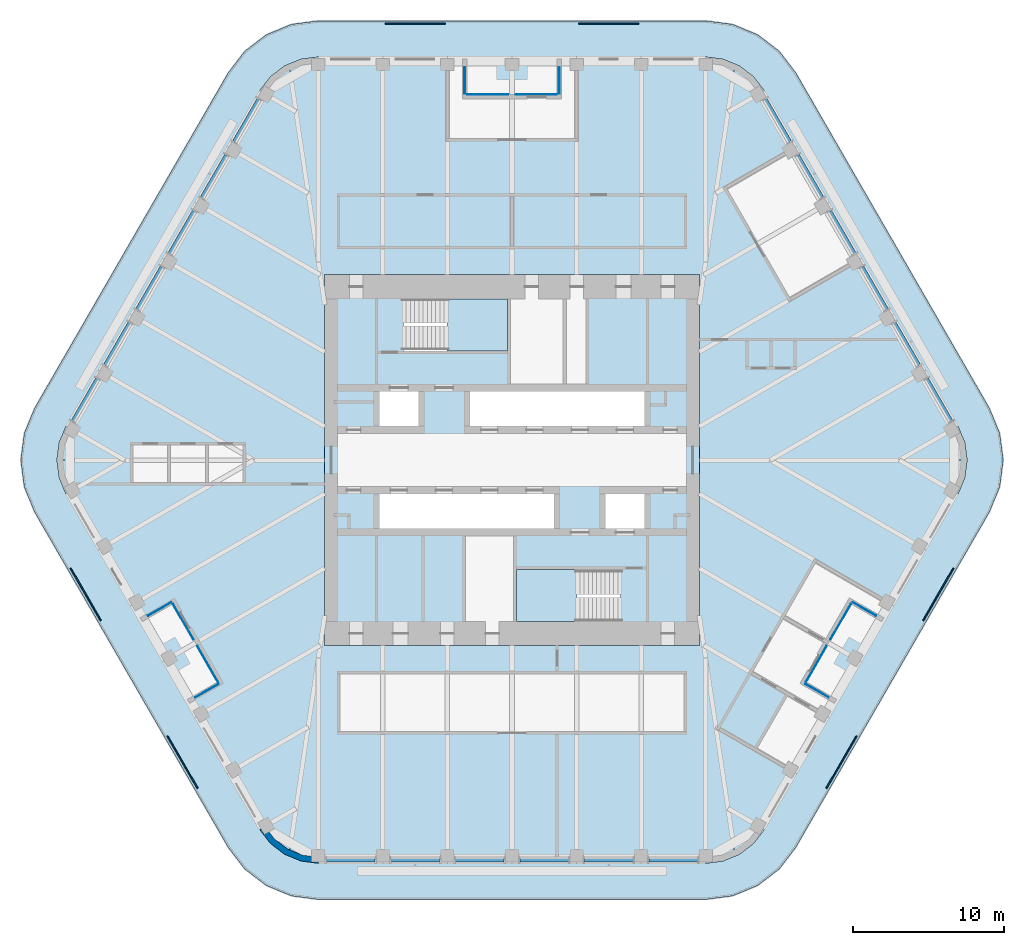
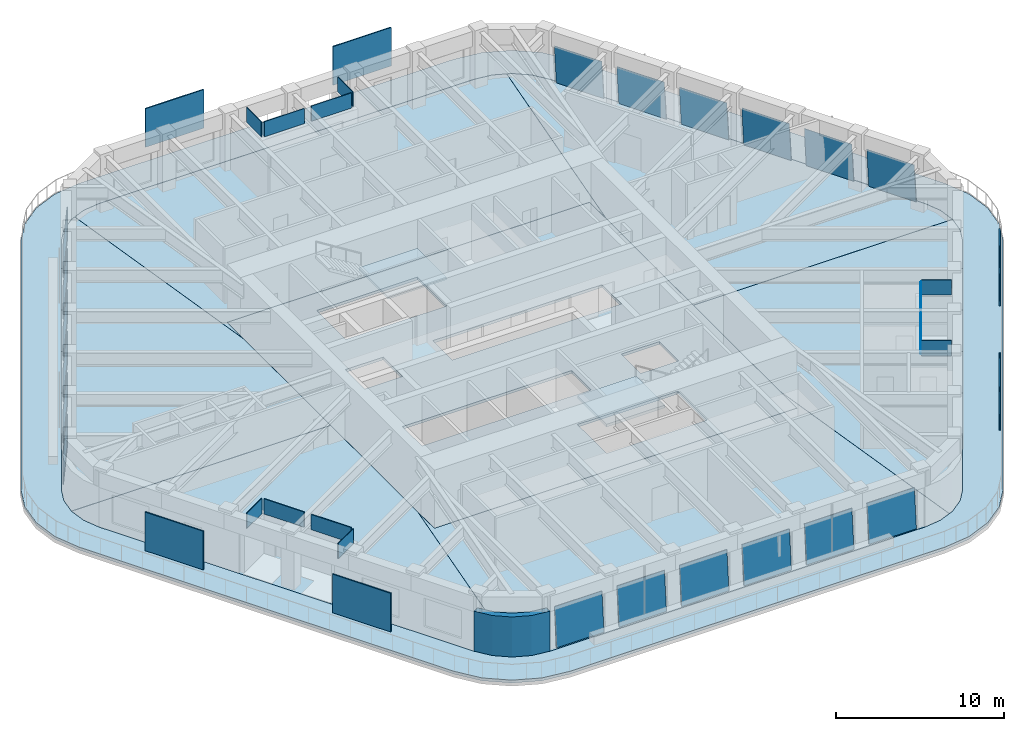
# One storey, part 12 of 19: 36 plates, 10 slabs, 1 wall, 20 elements without a shape of their own.
"""IFC4 building model written with IfcOpenShell, lengths in metres."""

from ifc_helpers import new_model, si_unit, direction, frame, origin, origin_2d, place, context, subcontext, project, spatial, polyline, rectangle, outline, extrude, material, layer, layer_set, type_object, element, aggregate, save


model = new_model("IFC4")

# Units and contexts
model_context = context("Model", 3, precision=1e-05, world=origin(), true_north=direction((0.0, 1.0)))
body_context = subcontext(model_context, "Body", "Model", "MODEL_VIEW")
ifc_project = project(units=[si_unit("LENGTHUNIT", "METRE"), si_unit("AREAUNIT", "SQUARE_METRE"), si_unit("VOLUMEUNIT", "CUBIC_METRE"), si_unit("PLANEANGLEUNIT", "RADIAN"), si_unit("MASSUNIT", "GRAM", prefix="KILO")], contexts=[model_context])

# Site, building, storey
site_placement = place(None, origin())
site = spatial("IfcSite", under=ifc_project, at=site_placement, CompositionType="ELEMENT")
building_placement = place(site_placement, origin())
building = spatial("IfcBuilding", under=site, at=building_placement, Name="Tarfa Lantern Tower", CompositionType="ELEMENT")
storey_placement = place(building_placement, frame((0.0, 0.0, 357.699951171875)))
storey = spatial("IfcBuildingStorey", under=building, at=storey_placement, Name="L81", CompositionType="ELEMENT", Elevation=357.699951171875)

# Slab
ifc_material_1 = material(Name="Concrete C40/50", Category="concrete")
ifc_layer_1 = layer(ifc_material_1, 0.199951171875)
ifc_layer_set_1 = layer_set([ifc_layer_1], Name="BS2 BALCONY SLAB 200")
slab_type_1 = type_object("IfcSlabType", Name="BS2 BALCONY SLAB 200", PredefinedType="FLOOR", material=ifc_layer_set_1)
slab_1_placement = place(storey_placement, frame((0.0, 0.0, -0.199951171875)))
element("IfcSlab", 1, at=slab_1_placement, inside=storey, type_object=slab_type_1, Name="Balcony L81", PredefinedType="FLOOR", context=body_context, shape_type="SweptSolid", body=[
    extrude(outline(polyline([(31.667724609375, 3.449951171875), (18.821533203125, 25.699951171875), (17.72509765625, 27.129150390625), (16.296142578125, 28.2255859375), (14.6318359375, 28.914794921875), (12.845947265625, 29.14990234375), (-12.845947265625, 29.14990234375), (-14.6318359375, 28.914794921875), (-16.296142578125, 28.2255859375), (-17.72509765625, 27.129150390625), (-18.821533203125, 25.699951171875), (-31.667724609375, 3.449951171875), (-32.35693359375, 1.785888671875), (-32.592041015625, 0.0), (-32.35693359375, -1.785888671875), (-31.667724609375, -3.449951171875), (-18.821533203125, -25.699951171875), (-17.72509765625, -27.129150390625), (-16.296142578125, -28.2255859375), (-14.6318359375, -28.914794921875), (-12.845947265625, -29.14990234375), (12.845947265625, -29.14990234375), (14.6318359375, -28.914794921875), (16.296142578125, -28.2255859375), (17.72509765625, -27.129150390625), (18.821533203125, -25.699951171875), (31.667724609375, -3.449951171875), (32.35693359375, -1.785888671875), (32.592041015625, 0.0), (32.35693359375, 1.785888671875), (31.667724609375, 3.449951171875)]), holes=[polyline([(29.589111328125, 2.25), (16.7431640625, 24.5), (16.028076171875, 25.431884765625), (15.095947265625, 26.147216796875), (14.0107421875, 26.5966796875), (12.845947265625, 26.75), (-12.845947265625, 26.75), (-14.0107421875, 26.5966796875), (-15.095947265625, 26.147216796875), (-16.028076171875, 25.431884765625), (-16.7431640625, 24.5), (-29.589111328125, 2.25), (-30.038818359375, 1.164794921875), (-30.192138671875, 0.0), (-30.038818359375, -1.164794921875), (-29.589111328125, -2.25), (-16.7431640625, -24.5), (-16.028076171875, -25.431884765625), (-15.095947265625, -26.147216796875), (-14.0107421875, -26.5966796875), (-12.845947265625, -26.75), (12.845947265625, -26.75), (14.0107421875, -26.5966796875), (15.095947265625, -26.147216796875), (16.028076171875, -25.431884765625), (16.7431640625, -24.5), (29.589111328125, -2.25), (30.038818359375, -1.164794921875), (30.192138671875, 0.0), (30.038818359375, 1.164794921875), (29.589111328125, 2.25)])]), origin(), (0.0, 0.0, 1.0), 0.199951171875),
])

# Curtain wall, plate
ifc_material_2 = material(Name="Aluminium framed curtain wall", Category="aluminium")
curtain_wall_type = type_object("IfcCurtainWallType", Name="CW4 CANTED GLAZING EXECUTIVE ZONE 2900", PredefinedType="USERDEFINED", material=ifc_material_2)
curtain_wall_1_placement = place(storey_placement, origin())
curtain_wall_1 = element("IfcCurtainWall", 2, at=curtain_wall_1_placement, inside=storey, type_object=curtain_wall_type, Name="CW4 NE L81", ObjectType="CURTAIN WALL", PredefinedType="USERDEFINED")
ifc_material_3 = material(Name="Laminated double glazing", Category="glass")
ifc_layer_2 = layer(ifc_material_3, 0.028076171875)
ifc_layer_set_2 = layer_set([ifc_layer_2], Name="CWP1 DOUBLE GLAZED PANEL")
plate_type_1 = type_object("IfcPlateType", Name="CWP1 DOUBLE GLAZED PANEL", PredefinedType="CURTAIN_PANEL", material=ifc_layer_set_2)
plate_1_placement = place(storey_placement, frame((29.2451171875, 2.64599609375, 0.0), z_axis=(0.862825639539, 0.498150817852, 0.085893413177), x_axis=(-0.499998527034, 0.866026254198, -1.606095e-06)))
plate_1 = element("IfcPlate", 3, at=plate_1_placement, type_object=plate_type_1, Name="CW4 panel 1.1", PredefinedType="CURTAIN_PANEL", context=body_context, shape_type="SweptSolid", body=[
    extrude(outline(polyline([(0.0, 0.0), (3.2520676412308207, 1.3877787807814457e-17), (3.251970209495446, 2.8454821182411227), (0.00011400045559208601, 2.845471633574548), (0.0, 0.0)])), origin(), (0.0, 0.0, -1.0), 0.028076171875),
])
aggregate(curtain_wall_1, [plate_1])

curtain_wall_2_placement = place(storey_placement, origin())
curtain_wall_2 = element("IfcCurtainWall", 4, at=curtain_wall_2_placement, inside=storey, type_object=curtain_wall_type, Name="CW4 NE L81", ObjectType="CURTAIN WALL", PredefinedType="USERDEFINED")
plate_2_placement = place(storey_placement, frame((27.10400390625, 6.354248046875, 0.0), z_axis=(0.862836578146, 0.498135541821, 0.085872122301), x_axis=(-0.499982393232, 0.866035568818, 0.0)))
plate_2 = element("IfcPlate", 5, at=plate_2_placement, type_object=plate_type_1, Name="CW4 panel 1.1", PredefinedType="CURTAIN_PANEL", context=body_context, shape_type="SweptSolid", body=[
    extrude(outline(polyline([(0.0, 0.0), (3.252067641799349, -1.3877787807814457e-17), (3.2521816433919786, 2.8454716342242685), (0.00011400159262917042, 2.8454716342242685), (0.0, 0.0)])), origin(), (0.0, 0.0, -1.0), 0.028076171875),
])
aggregate(curtain_wall_2, [plate_2])

curtain_wall_3_placement = place(storey_placement, origin())
curtain_wall_3 = element("IfcCurtainWall", 6, at=curtain_wall_3_placement, inside=storey, type_object=curtain_wall_type, Name="CW4 NE L81", ObjectType="CURTAIN WALL", PredefinedType="USERDEFINED")
plate_3_placement = place(storey_placement, frame((24.963134765625, 10.062744140625, 0.0), z_axis=(0.862825639539, 0.498150817852, 0.085893413177), x_axis=(-0.49999876687, 0.86602611573, 1.606199e-06)))
plate_3 = element("IfcPlate", 7, at=plate_3_placement, type_object=plate_type_1, Name="CW4 panel 1.1", PredefinedType="CURTAIN_PANEL", context=body_context, shape_type="SweptSolid", body=[
    extrude(outline(polyline([(0.0, 0.0), (3.2518562090567564, 1.3877787807814457e-17), (3.251979383909802, 2.8454716331921968), (-8.825730411465393e-05, 2.845482118540473), (0.0, 0.0)])), origin(), (0.0, 0.0, -1.0), 0.028076171875),
])
aggregate(curtain_wall_3, [plate_3])

curtain_wall_4_placement = place(storey_placement, origin())
curtain_wall_4 = element("IfcCurtainWall", 8, at=curtain_wall_4_placement, inside=storey, type_object=curtain_wall_type, Name="CW4 NE L81", ObjectType="CURTAIN WALL", PredefinedType="USERDEFINED")
plate_4_placement = place(storey_placement, frame((22.822021484375, 13.77099609375, 0.0), z_axis=(0.862825639539, 0.498150817852, 0.085893413177), x_axis=(-0.499998527034, 0.866026254198, -1.606095e-06)))
plate_4 = element("IfcPlate", 9, at=plate_4_placement, type_object=plate_type_1, Name="CW4 panel 1.1", PredefinedType="CURTAIN_PANEL", context=body_context, shape_type="SweptSolid", body=[
    extrude(outline(polyline([(0.0, 0.0), (3.2520676412308207, 1.3877787807814457e-17), (3.251970209495446, 2.8454821182411227), (0.00011400045559208601, 2.845471633574548), (0.0, 0.0)])), origin(), (0.0, 0.0, -1.0), 0.028076171875),
])
aggregate(curtain_wall_4, [plate_4])

curtain_wall_5_placement = place(storey_placement, origin())
curtain_wall_5 = element("IfcCurtainWall", 10, at=curtain_wall_5_placement, inside=storey, type_object=curtain_wall_type, Name="CW4 NE L81", ObjectType="CURTAIN WALL", PredefinedType="USERDEFINED")
plate_5_placement = place(storey_placement, frame((20.68115234375, 17.479248046875, 0.0), z_axis=(0.862836578146, 0.498135541821, 0.085872122301), x_axis=(-0.499982393232, 0.866035568818, 0.0)))
plate_5 = element("IfcPlate", 11, at=plate_5_placement, type_object=plate_type_1, Name="CW4 panel 1.1", PredefinedType="CURTAIN_PANEL", context=body_context, shape_type="SweptSolid", body=[
    extrude(outline(polyline([(0.0, 0.0), (3.252067641799349, -1.3877787807814457e-17), (3.2521816433919786, 2.8454716342242685), (0.00011400159262917042, 2.8454716342242685), (0.0, 0.0)])), origin(), (0.0, 0.0, -1.0), 0.028076171875),
])
aggregate(curtain_wall_5, [plate_5])

curtain_wall_6_placement = place(storey_placement, origin())
curtain_wall_6 = element("IfcCurtainWall", 12, at=curtain_wall_6_placement, inside=storey, type_object=curtain_wall_type, Name="CW4 NE L81", ObjectType="CURTAIN WALL", PredefinedType="USERDEFINED")
plate_6_placement = place(storey_placement, frame((18.5400390625, 21.187744140625, 0.0), z_axis=(0.862825639539, 0.498150817852, 0.085893413177), x_axis=(-0.49999876687, 0.86602611573, 1.606199e-06)))
plate_6 = element("IfcPlate", 13, at=plate_6_placement, type_object=plate_type_1, Name="CW4 panel 1.1", PredefinedType="CURTAIN_PANEL", context=body_context, shape_type="SweptSolid", body=[
    extrude(outline(polyline([(0.0, 0.0), (3.2518562090567564, 1.3877787807814457e-17), (3.251979383909802, 2.8454716331921968), (-8.825730411465393e-05, 2.845482118540473), (0.0, 0.0)])), origin(), (0.0, 0.0, -1.0), 0.028076171875),
])
aggregate(curtain_wall_6, [plate_6])

curtain_wall_7_placement = place(storey_placement, origin())
curtain_wall_7 = element("IfcCurtainWall", 14, at=curtain_wall_7_placement, inside=storey, type_object=curtain_wall_type, Name="CW4 NW L81", ObjectType="CURTAIN WALL", PredefinedType="USERDEFINED")
plate_7_placement = place(storey_placement, frame((-16.9140625, 24.00390625, 0.0), z_axis=(-0.862825639539, 0.498150817852, 0.085893413177), x_axis=(-0.49999876687, -0.86602611573, -1.606199e-06)))
plate_7 = element("IfcPlate", 15, at=plate_7_placement, type_object=plate_type_1, Name="CW4 panel 1.1", PredefinedType="CURTAIN_PANEL", context=body_context, shape_type="SweptSolid", body=[
    extrude(outline(polyline([(0.0, 0.0), (3.2518562090567564, -1.3877787807814457e-17), (3.251944466360871, 2.845482118540473), (-0.00012317485304587817, 2.8454716331921968), (0.0, 0.0)])), origin(), (0.0, 0.0, -1.0), 0.028076171875),
])
aggregate(curtain_wall_7, [plate_7])

curtain_wall_8_placement = place(storey_placement, origin())
curtain_wall_8 = element("IfcCurtainWall", 16, at=curtain_wall_8_placement, inside=storey, type_object=curtain_wall_type, Name="CW4 NW L81", ObjectType="CURTAIN WALL", PredefinedType="USERDEFINED")
plate_8_placement = place(storey_placement, frame((-19.05517578125, 20.295654296875, 0.0), z_axis=(-0.862836578146, 0.498135541821, 0.085872122301), x_axis=(-0.499982393232, -0.866035568818, 0.0)))
plate_8 = element("IfcPlate", 17, at=plate_8_placement, type_object=plate_type_1, Name="CW4 panel 1.1", PredefinedType="CURTAIN_PANEL", context=body_context, shape_type="SweptSolid", body=[
    extrude(outline(polyline([(0.0, 0.0), (3.252067641799349, 1.3877787807814457e-17), (3.25195364020672, 2.8454716342242685), (-0.00011400159262917042, 2.8454716342242685), (0.0, 0.0)])), origin(), (0.0, 0.0, -1.0), 0.028076171875),
])
aggregate(curtain_wall_8, [plate_8])

curtain_wall_9_placement = place(storey_placement, origin())
curtain_wall_9 = element("IfcCurtainWall", 18, at=curtain_wall_9_placement, inside=storey, type_object=curtain_wall_type, Name="CW4 NW L81", ObjectType="CURTAIN WALL", PredefinedType="USERDEFINED")
plate_9_placement = place(storey_placement, frame((-21.196044921875, 16.58740234375, 0.0), z_axis=(-0.862825639539, 0.498150817852, 0.085893413177), x_axis=(-0.499998527034, -0.866026254198, 1.606095e-06)))
plate_9 = element("IfcPlate", 19, at=plate_9_placement, type_object=plate_type_1, Name="CW4 panel 1.1", PredefinedType="CURTAIN_PANEL", context=body_context, shape_type="SweptSolid", body=[
    extrude(outline(polyline([(0.0, 0.0), (3.2520676412308207, -1.3877787807814457e-17), (3.2519536407752287, 2.845471633574548), (9.74317353742931e-05, 2.8454821182411227), (0.0, 0.0)])), origin(), (0.0, 0.0, -1.0), 0.028076171875),
])
aggregate(curtain_wall_9, [plate_9])

curtain_wall_10_placement = place(storey_placement, origin())
curtain_wall_10 = element("IfcCurtainWall", 20, at=curtain_wall_10_placement, inside=storey, type_object=curtain_wall_type, Name="CW4 NW L81", ObjectType="CURTAIN WALL", PredefinedType="USERDEFINED")
plate_10_placement = place(storey_placement, frame((-23.337158203125, 12.87890625, 0.0), z_axis=(-0.862825639539, 0.498150817852, 0.085893413177), x_axis=(-0.49999876687, -0.86602611573, -1.606199e-06)))
plate_10 = element("IfcPlate", 21, at=plate_10_placement, type_object=plate_type_1, Name="CW4 panel 1.1", PredefinedType="CURTAIN_PANEL", context=body_context, shape_type="SweptSolid", body=[
    extrude(outline(polyline([(0.0, 0.0), (3.2518562090567564, -1.3877787807814457e-17), (3.251944466360871, 2.845482118540473), (-0.00012317485304587817, 2.8454716331921968), (0.0, 0.0)])), origin(), (0.0, 0.0, -1.0), 0.028076171875),
])
aggregate(curtain_wall_10, [plate_10])

curtain_wall_11_placement = place(storey_placement, origin())
curtain_wall_11 = element("IfcCurtainWall", 22, at=curtain_wall_11_placement, inside=storey, type_object=curtain_wall_type, Name="CW4 NW L81", ObjectType="CURTAIN WALL", PredefinedType="USERDEFINED")
plate_11_placement = place(storey_placement, frame((-25.47802734375, 9.170654296875, 0.0), z_axis=(-0.862836578146, 0.498135541821, 0.085872122301), x_axis=(-0.499982393232, -0.866035568818, 0.0)))
plate_11 = element("IfcPlate", 23, at=plate_11_placement, type_object=plate_type_1, Name="CW4 panel 1.1", PredefinedType="CURTAIN_PANEL", context=body_context, shape_type="SweptSolid", body=[
    extrude(outline(polyline([(0.0, 0.0), (3.252067641799349, 1.3877787807814457e-17), (3.25195364020672, 2.8454716342242685), (-0.00011400159262917042, 2.8454716342242685), (0.0, 0.0)])), origin(), (0.0, 0.0, -1.0), 0.028076171875),
])
aggregate(curtain_wall_11, [plate_11])

curtain_wall_12_placement = place(storey_placement, origin())
curtain_wall_12 = element("IfcCurtainWall", 24, at=curtain_wall_12_placement, inside=storey, type_object=curtain_wall_type, Name="CW4 NW L81", ObjectType="CURTAIN WALL", PredefinedType="USERDEFINED")
plate_12_placement = place(storey_placement, frame((-27.619140625, 5.46240234375, 0.0), z_axis=(-0.862825639539, 0.498150817852, 0.085893413177), x_axis=(-0.499998527034, -0.866026254198, 1.606095e-06)))
plate_12 = element("IfcPlate", 25, at=plate_12_placement, type_object=plate_type_1, Name="CW4 panel 1.1", PredefinedType="CURTAIN_PANEL", context=body_context, shape_type="SweptSolid", body=[
    extrude(outline(polyline([(0.0, 0.0), (3.2520676412308207, -1.3877787807814457e-17), (3.2519536407752287, 2.845471633574548), (9.74317353742931e-05, 2.8454821182411227), (0.0, 0.0)])), origin(), (0.0, 0.0, -1.0), 0.028076171875),
])
aggregate(curtain_wall_12, [plate_12])

curtain_wall_13_placement = place(storey_placement, origin())
curtain_wall_13 = element("IfcCurtainWall", 26, at=curtain_wall_13_placement, inside=storey, type_object=curtain_wall_type, Name="CW4 S L81", ObjectType="CURTAIN WALL", PredefinedType="USERDEFINED")
plate_13_placement = place(storey_placement, frame((-12.3310546875, -26.64990234375, 0.0), z_axis=(0.0, -0.996305022141, 0.085885405371), x_axis=(1.0, 0.0, 0.0)))
plate_13 = element("IfcPlate", 27, at=plate_13_placement, type_object=plate_type_1, Name="CW4 panel 1.1", PredefinedType="CURTAIN_PANEL", context=body_context, shape_type="SweptSolid", body=[
    extrude(outline(polyline([(0.0, 0.0), (3.251953125, 0.0), (3.251953125, 2.8454749042682606), (0.0, 2.8454749042682606), (0.0, 0.0)])), origin(), (0.0, 0.0, -1.0), 0.028076171875),
])
aggregate(curtain_wall_13, [plate_13])

curtain_wall_14_placement = place(storey_placement, origin())
curtain_wall_14 = element("IfcCurtainWall", 28, at=curtain_wall_14_placement, inside=storey, type_object=curtain_wall_type, Name="CW4 S L81", ObjectType="CURTAIN WALL", PredefinedType="USERDEFINED")
plate_14_placement = place(storey_placement, frame((-8.049072265625, -26.64990234375, 0.0), z_axis=(0.0, -0.996305022141, 0.085885405371), x_axis=(1.0, 0.0, 0.0)))
plate_14 = element("IfcPlate", 29, at=plate_14_placement, type_object=plate_type_1, Name="CW4 panel 1.1", PredefinedType="CURTAIN_PANEL", context=body_context, shape_type="SweptSolid", body=[
    extrude(outline(polyline([(0.0, 0.0), (3.251953125, 0.0), (3.251953125, 2.8454749042682606), (0.0, 2.8454749042682606), (0.0, 0.0)])), origin(), (0.0, 0.0, -1.0), 0.028076171875),
])
aggregate(curtain_wall_14, [plate_14])

curtain_wall_15_placement = place(storey_placement, origin())
curtain_wall_15 = element("IfcCurtainWall", 30, at=curtain_wall_15_placement, inside=storey, type_object=curtain_wall_type, Name="CW4 S L81", ObjectType="CURTAIN WALL", PredefinedType="USERDEFINED")
plate_15_placement = place(storey_placement, frame((-3.76708984375, -26.64990234375, 0.0), z_axis=(0.0, -0.996305022141, 0.085885405371), x_axis=(1.0, 0.0, 0.0)))
plate_15 = element("IfcPlate", 31, at=plate_15_placement, type_object=plate_type_1, Name="CW4 panel 1.1", PredefinedType="CURTAIN_PANEL", context=body_context, shape_type="SweptSolid", body=[
    extrude(outline(polyline([(0.0, 0.0), (3.252197265625, 0.0), (3.252197265625, 2.8454749042682606), (0.0, 2.8454749042682606), (0.0, 0.0)])), origin(), (0.0, 0.0, -1.0), 0.028076171875),
])
aggregate(curtain_wall_15, [plate_15])

curtain_wall_16_placement = place(storey_placement, origin())
curtain_wall_16 = element("IfcCurtainWall", 32, at=curtain_wall_16_placement, inside=storey, type_object=curtain_wall_type, Name="CW4 S L81", ObjectType="CURTAIN WALL", PredefinedType="USERDEFINED")
plate_16_placement = place(storey_placement, frame((0.514892578125, -26.64990234375, 0.0), z_axis=(0.0, -0.996305022141, 0.085885405371), x_axis=(1.0, 0.0, 0.0)))
plate_16 = element("IfcPlate", 33, at=plate_16_placement, type_object=plate_type_1, Name="CW4 panel 1.1", PredefinedType="CURTAIN_PANEL", context=body_context, shape_type="SweptSolid", body=[
    extrude(outline(polyline([(0.0, 0.0), (3.252197265625, 0.0), (3.252197265625, 2.8454749042682606), (0.0, 2.8454749042682606), (0.0, 0.0)])), origin(), (0.0, 0.0, -1.0), 0.028076171875),
])
aggregate(curtain_wall_16, [plate_16])

curtain_wall_17_placement = place(storey_placement, origin())
curtain_wall_17 = element("IfcCurtainWall", 34, at=curtain_wall_17_placement, inside=storey, type_object=curtain_wall_type, Name="CW4 S L81", ObjectType="CURTAIN WALL", PredefinedType="USERDEFINED")
plate_17_placement = place(storey_placement, frame((4.797119140625, -26.64990234375, 0.0), z_axis=(0.0, -0.996305022141, 0.085885405371), x_axis=(1.0, 0.0, 0.0)))
plate_17 = element("IfcPlate", 35, at=plate_17_placement, type_object=plate_type_1, Name="CW4 panel 1.1", PredefinedType="CURTAIN_PANEL", context=body_context, shape_type="SweptSolid", body=[
    extrude(outline(polyline([(0.0, 0.0), (3.251953125, 0.0), (3.251953125, 2.8454749042682606), (0.0, 2.8454749042682606), (0.0, 0.0)])), origin(), (0.0, 0.0, -1.0), 0.028076171875),
])
aggregate(curtain_wall_17, [plate_17])

curtain_wall_18_placement = place(storey_placement, origin())
curtain_wall_18 = element("IfcCurtainWall", 36, at=curtain_wall_18_placement, inside=storey, type_object=curtain_wall_type, Name="CW4 S L81", ObjectType="CURTAIN WALL", PredefinedType="USERDEFINED")
plate_18_placement = place(storey_placement, frame((9.0791015625, -26.64990234375, 0.0), z_axis=(0.0, -0.996305022141, 0.085885405371), x_axis=(1.0, 0.0, 0.0)))
plate_18 = element("IfcPlate", 37, at=plate_18_placement, type_object=plate_type_1, Name="CW4 panel 1.1", PredefinedType="CURTAIN_PANEL", context=body_context, shape_type="SweptSolid", body=[
    extrude(outline(polyline([(0.0, 0.0), (3.251953125, 0.0), (3.251953125, 2.8454749042682606), (0.0, 2.8454749042682606), (0.0, 0.0)])), origin(), (0.0, 0.0, -1.0), 0.028076171875),
])
aggregate(curtain_wall_18, [plate_18])

# Slabs
ifc_layer_3 = layer(ifc_material_1, 0.199951171875)
ifc_layer_set_3 = layer_set([ifc_layer_3], Name="FS1 FLOOR SLAB 200")
slab_type_2 = type_object("IfcSlabType", Name="FS1 FLOOR SLAB 200", PredefinedType="FLOOR", material=ifc_layer_set_3)
slab_2_placement = place(storey_placement, frame((0.0, 0.0, -0.199951171875)))
element("IfcSlab", 38, at=slab_2_placement, inside=storey, type_object=slab_type_2, Name="Floor slab L81", PredefinedType="FLOOR", context=body_context, shape_type="SweptSolid", body=[
    extrude(outline(polyline([(-12.425048828125, -12.300048828125), (12.425048828125, -12.300048828125), (12.425048828125, 12.300048828125), (-12.425048828125, 12.300048828125), (-12.425048828125, -12.300048828125)]), holes=[polyline([(-8.800048828125, 2.25), (-6.199951171875, 2.25), (-6.199951171875, 4.550048828125), (-8.800048828125, 4.550048828125), (-8.800048828125, 2.25)]), polyline([(-2.800048828125, 2.25), (8.800048828125, 2.25), (8.800048828125, 4.550048828125), (-2.800048828125, 4.550048828125), (-2.800048828125, 2.25)]), polyline([(8.800048828125, -2.25), (6.199951171875, -2.25), (6.199951171875, -4.550048828125), (8.800048828125, -4.550048828125), (8.800048828125, -2.25)]), polyline([(2.800048828125, -2.25), (-8.800048828125, -2.25), (-8.800048828125, -4.550048828125), (2.800048828125, -4.550048828125), (2.800048828125, -2.25)]), polyline([(-7.199951171875, 7.25), (-0.300048828125, 7.25), (-0.300048828125, 10.699951171875), (-7.199951171875, 10.699951171875), (-7.199951171875, 7.25)]), polyline([(7.199951171875, -7.25), (0.300048828125, -7.25), (0.300048828125, -10.699951171875), (7.199951171875, -10.699951171875), (7.199951171875, -7.25)])]), origin(), (0.0, 0.0, 1.0), 0.199951171875),
])
slab_3_placement = place(storey_placement, frame((0.0, 0.0, -0.199951171875)))
element("IfcSlab", 39, at=slab_3_placement, inside=storey, type_object=slab_type_2, Name="Floor slab L81 NE bay", PredefinedType="FLOOR", context=body_context, shape_type="SweptSolid", body=[
    extrude(outline(polyline([(29.58740234375, 2.2490234375), (16.741455078125, 24.498779296875), (16.026611328125, 25.4306640625), (15.094970703125, 26.145263671875), (14.802001953125, 26.2666015625), (12.427001953125, 10.2998046875), (12.427001953125, 0.001953125), (30.189697265625, 0.001953125), (30.036865234375, 1.1640625), (29.58740234375, 2.2490234375)])), origin(), (0.0, 0.0, 1.0), 0.199951171875),
])
slab_4_placement = place(storey_placement, frame((0.0, 0.0, -0.199951171875)))
element("IfcSlab", 40, at=slab_4_placement, inside=storey, type_object=slab_type_2, Name="Floor slab L81 N bay", PredefinedType="FLOOR", context=body_context, shape_type="SweptSolid", body=[
    extrude(outline(polyline([(-12.427001953125, 10.3271484375), (-12.427001953125, 12.302001953125), (12.427001953125, 12.302001953125), (12.427001953125, 10.3271484375), (14.79833984375, 26.268310546875), (14.01025390625, 26.5947265625), (12.845947265625, 26.748046875), (-12.845947265625, 26.748046875), (-14.01025390625, 26.5947265625), (-14.79833984375, 26.268310546875), (-12.427001953125, 10.3271484375)])), origin(), (0.0, 0.0, 1.0), 0.199951171875),
])
slab_5_placement = place(storey_placement, frame((0.0, 0.0, -0.199951171875)))
element("IfcSlab", 41, at=slab_5_placement, inside=storey, type_object=slab_type_2, Name="Floor slab L81 NW bay", PredefinedType="FLOOR", context=body_context, shape_type="SweptSolid", body=[
    extrude(outline(polyline([(-12.427001953125, 0.001953125), (-12.427001953125, 10.2998046875), (-14.802001953125, 26.2666015625), (-15.094970703125, 26.145263671875), (-16.026611328125, 25.4306640625), (-16.741455078125, 24.498779296875), (-29.58740234375, 2.2490234375), (-30.036865234375, 1.1640625), (-30.189697265625, 0.001953125), (-12.427001953125, 0.001953125)])), origin(), (0.0, 0.0, 1.0), 0.199951171875),
])
slab_6_placement = place(storey_placement, frame((0.0, 0.0, -0.199951171875)))
element("IfcSlab", 42, at=slab_6_placement, inside=storey, type_object=slab_type_2, Name="Floor slab L81 SW bay", PredefinedType="FLOOR", context=body_context, shape_type="SweptSolid", body=[
    extrude(outline(polyline([(-12.427001953125, -10.2998046875), (-12.427001953125, -0.001953125), (-30.189697265625, -0.001953125), (-30.036865234375, -1.1640625), (-29.58740234375, -2.2490234375), (-16.741455078125, -24.498779296875), (-16.026611328125, -25.4306640625), (-15.094970703125, -26.145263671875), (-14.802001953125, -26.2666015625), (-12.427001953125, -10.2998046875)])), origin(), (0.0, 0.0, 1.0), 0.199951171875),
])
slab_7_placement = place(storey_placement, frame((0.0, 0.0, -0.199951171875)))
element("IfcSlab", 43, at=slab_7_placement, inside=storey, type_object=slab_type_2, Name="Floor slab L81 S bay", PredefinedType="FLOOR", context=body_context, shape_type="SweptSolid", body=[
    extrude(outline(polyline([(12.427001953125, -10.3271484375), (12.427001953125, -12.302001953125), (-12.427001953125, -12.302001953125), (-12.427001953125, -10.3271484375), (-14.79833984375, -26.268310546875), (-14.01025390625, -26.5947265625), (-12.845947265625, -26.748046875), (12.845947265625, -26.748046875), (14.01025390625, -26.5947265625), (14.79833984375, -26.268310546875), (12.427001953125, -10.3271484375)])), origin(), (0.0, 0.0, 1.0), 0.199951171875),
])
slab_8_placement = place(storey_placement, frame((0.0, 0.0, -0.199951171875)))
element("IfcSlab", 44, at=slab_8_placement, inside=storey, type_object=slab_type_2, Name="Floor slab L81 SE bay", PredefinedType="FLOOR", context=body_context, shape_type="SweptSolid", body=[
    extrude(outline(polyline([(12.427001953125, -0.001953125), (12.427001953125, -10.2998046875), (14.802001953125, -26.2666015625), (15.094970703125, -26.145263671875), (16.026611328125, -25.4306640625), (16.741455078125, -24.498779296875), (29.58740234375, -2.2490234375), (30.036865234375, -1.1640625), (30.189697265625, -0.001953125), (12.427001953125, -0.001953125)])), origin(), (0.0, 0.0, 1.0), 0.199951171875),
])

# Plates
ifc_material_4 = material(Name="Aluminium fascia panel", Category="aluminium")
ifc_layer_4 = layer(ifc_material_4, 0.050048828125)
ifc_layer_set_4 = layer_set([ifc_layer_4], Name="LF1 LOGGIA HEAD FASCIA 50")
plate_type_2 = type_object("IfcPlateType", Name="LF1 LOGGIA HEAD FASCIA 50", PredefinedType="USERDEFINED", material=ifc_layer_set_4)
for number, where, z_axis, x_axis, name in (
    (45, (1.615966796875, 24.25, 2.89990234375), (0.0, 0.0, 1.0), (-1.0, 0.0, 0.0), "Terrace head fascia N"),
    (46, (-1.615966796875, 24.25, 2.89990234375), (0.0, 0.0, 1.0), (-1.0, 0.0, 0.0), "Terrace head fascia N"),
):
    element("IfcPlate", number, at=place(storey_placement, frame(where, z_axis=z_axis, x_axis=x_axis)), inside=storey, type_object=plate_type_2, Name=name, ObjectType="FASCIA", PredefinedType="USERDEFINED", context=body_context, shape_type="SweptSolid", body=[
        extrude(rectangle(XDim=2.73193359375, YDim=0.050048828125, at=origin_2d()), origin(), (0.0, 0.0, 1.0), 1.10009765625),
    ])
for number, where, z_axis, x_axis, name in (
    (47, (3.132080078125, 25.18505859375, 2.89990234375), (0.0, 0.0, 1.0), (0.0, -1.0, 0.0), "Terrace head fascia N"),
    (48, (-3.132080078125, 25.18505859375, 2.89990234375), (0.0, 0.0, 1.0), (0.0, -1.0, 0.0), "Terrace head fascia N"),
):
    element("IfcPlate", number, at=place(storey_placement, frame(where, z_axis=z_axis, x_axis=x_axis)), inside=storey, type_object=plate_type_2, Name=name, ObjectType="FASCIA", PredefinedType="USERDEFINED", context=body_context, shape_type="SweptSolid", body=[
        extrude(rectangle(XDim=1.77001953125, YDim=0.050048828125, at=origin_2d()), origin(), (0.0, 0.0, 1.0), 1.10009765625),
    ])
for number, where, z_axis, x_axis, name in (
    (49, (-21.80908203125, -10.7255859375, 2.89990234375), (0.0, 0.0, 1.0), (0.5, -0.866025403784, 0.0), "Terrace head fascia SW"),
    (50, (-20.193115234375, -13.5244140625, 2.89990234375), (0.0, 0.0, 1.0), (0.5, -0.866025403784, 0.0), "Terrace head fascia SW"),
):
    element("IfcPlate", number, at=place(storey_placement, frame(where, z_axis=z_axis, x_axis=x_axis)), inside=storey, type_object=plate_type_2, Name=name, ObjectType="FASCIA", PredefinedType="USERDEFINED", context=body_context, shape_type="SweptSolid", body=[
        extrude(rectangle(XDim=2.73193359375, YDim=0.050048828125, at=origin_2d()), origin(), (0.0, 0.0, 1.0), 1.10009765625),
    ])
for number, where, z_axis, x_axis, name in (
    (51, (-23.376953125, -9.880126953125, 2.89990234375), (0.0, 0.0, 1.0), (0.866025403784, 0.5, 0.0), "Terrace head fascia SW"),
    (52, (-20.244873046875, -15.304931640625, 2.89990234375), (0.0, 0.0, 1.0), (0.866025403784, 0.5, 0.0), "Terrace head fascia SW"),
):
    element("IfcPlate", number, at=place(storey_placement, frame(where, z_axis=z_axis, x_axis=x_axis)), inside=storey, type_object=plate_type_2, Name=name, ObjectType="FASCIA", PredefinedType="USERDEFINED", context=body_context, shape_type="SweptSolid", body=[
        extrude(rectangle(XDim=1.77001953125, YDim=0.050048828125, at=origin_2d()), origin(), (0.0, 0.0, 1.0), 1.10009765625),
    ])
for number, where, z_axis, x_axis, name in (
    (53, (20.193115234375, -13.5244140625, 2.89990234375), (0.0, 0.0, 1.0), (0.5, 0.866025403784, 0.0), "Terrace head fascia SE"),
    (54, (21.80908203125, -10.7255859375, 2.89990234375), (0.0, 0.0, 1.0), (0.5, 0.866025403784, 0.0), "Terrace head fascia SE"),
):
    element("IfcPlate", number, at=place(storey_placement, frame(where, z_axis=z_axis, x_axis=x_axis)), inside=storey, type_object=plate_type_2, Name=name, ObjectType="FASCIA", PredefinedType="USERDEFINED", context=body_context, shape_type="SweptSolid", body=[
        extrude(rectangle(XDim=2.73193359375, YDim=0.050048828125, at=origin_2d()), origin(), (0.0, 0.0, 1.0), 1.10009765625),
    ])
for number, where, z_axis, x_axis, name in (
    (55, (20.244873046875, -15.304931640625, 2.89990234375), (0.0, 0.0, 1.0), (-0.866025403784, 0.5, 0.0), "Terrace head fascia SE"),
    (56, (23.376953125, -9.880126953125, 2.89990234375), (0.0, 0.0, 1.0), (-0.866025403784, 0.5, 0.0), "Terrace head fascia SE"),
):
    element("IfcPlate", number, at=place(storey_placement, frame(where, z_axis=z_axis, x_axis=x_axis)), inside=storey, type_object=plate_type_2, Name=name, ObjectType="FASCIA", PredefinedType="USERDEFINED", context=body_context, shape_type="SweptSolid", body=[
        extrude(rectangle(XDim=1.77001953125, YDim=0.050048828125, at=origin_2d()), origin(), (0.0, 0.0, 1.0), 1.10009765625),
    ])
ifc_material_5 = material(Name="Perforated limestone screen", Category="masonry")
ifc_layer_5 = layer(ifc_material_5, 0.080078125)
ifc_layer_set_5 = layer_set([ifc_layer_5], Name="SC1 STONE SCREEN 80")
plate_type_3 = type_object("IfcPlateType", Name="SC1 STONE SCREEN 80", PredefinedType="USERDEFINED", material=ifc_layer_set_5)
for number, where, z_axis, x_axis, name in (
    (57, (6.423095703125, 28.949951171875, 1.2001953125), (0.0, 0.0, 1.0), (-1.0, 0.0, 0.0), "Stone screen N 1"),
    (58, (-6.423095703125, 28.949951171875, 1.2001953125), (0.0, 0.0, 1.0), (-1.0, 0.0, 0.0), "Stone screen N 2"),
    (59, (-28.282958984375, -8.91259765625, 1.2001953125), (0.0, 0.0, 1.0), (0.5, -0.866025403784, 0.0), "Stone screen SW 1"),
    (60, (-21.85986328125, -20.03759765625, 1.2001953125), (0.0, 0.0, 1.0), (0.5, -0.866025403784, 0.0), "Stone screen SW 2"),
    (61, (21.85986328125, -20.03759765625, 1.2001953125), (0.0, 0.0, 1.0), (0.5, 0.866025403784, 0.0), "Stone screen SE 1"),
    (62, (28.282958984375, -8.91259765625, 1.2001953125), (0.0, 0.0, 1.0), (0.5, 0.866025403784, 0.0), "Stone screen SE 2"),
):
    element("IfcPlate", number, at=place(storey_placement, frame(where, z_axis=z_axis, x_axis=x_axis)), inside=storey, type_object=plate_type_3, Name=name, ObjectType="SCREEN", PredefinedType="USERDEFINED", context=body_context, shape_type="SweptSolid", body=[
        extrude(rectangle(XDim=4.0, YDim=0.080078125, at=origin_2d()), origin(), (0.0, 0.0, 1.0), 2.800048828125),
    ])

# Stair, slab
stair_type = type_object("IfcStairType", Name="ST-T10 HALF-TURN STAIR 4200 RISE", PredefinedType="HALF_TURN_STAIR", material=ifc_material_1)
stair_1_placement = place(storey_placement, origin())
stair_1 = element("IfcStair", 63, at=stair_1_placement, inside=storey, type_object=stair_type, Name="Stair ST1", PredefinedType="HALF_TURN_STAIR")
ifc_layer_6 = layer(ifc_material_1, 0.199951171875)
ifc_layer_set_6 = layer_set([ifc_layer_6], Name="SL1 STAIR LANDING 200")
slab_type_3 = type_object("IfcSlabType", Name="SL1 STAIR LANDING 200", PredefinedType="LANDING", material=ifc_layer_set_6)
slab_9_placement = place(storey_placement, frame((0.0, 0.0, 1.900146484375)))
slab_9 = element("IfcSlab", 64, at=slab_9_placement, type_object=slab_type_3, Name="ST1 landing 1", PredefinedType="LANDING", context=body_context, shape_type="SweptSolid", body=[
    extrude(outline(polyline([(-4.320068359375, 7.25), (-0.300048828125, 7.25), (-0.300048828125, 10.699951171875), (-4.320068359375, 10.699951171875), (-4.320068359375, 7.25)])), origin(), (0.0, 0.0, 1.0), 0.199951171875),
])
aggregate(stair_1, [slab_9])

stair_2_placement = place(storey_placement, origin())
stair_2 = element("IfcStair", 65, at=stair_2_placement, inside=storey, type_object=stair_type, Name="Stair ST2", PredefinedType="HALF_TURN_STAIR")
slab_10_placement = place(storey_placement, frame((0.0, 0.0, 1.900146484375)))
slab_10 = element("IfcSlab", 66, at=slab_10_placement, type_object=slab_type_3, Name="ST2 landing 1", PredefinedType="LANDING", context=body_context, shape_type="SweptSolid", body=[
    extrude(outline(polyline([(4.320068359375, -7.25), (0.300048828125, -7.25), (0.300048828125, -10.699951171875), (4.320068359375, -10.699951171875), (4.320068359375, -7.25)])), origin(), (0.0, 0.0, 1.0), 0.199951171875),
])
aggregate(stair_2, [slab_10])

# Wall
ifc_material_6 = material(Name="Limestone cladding on blockwork", Category="masonry")
ifc_layer_7 = layer(ifc_material_6, 0.39990234375)
ifc_layer_set_7 = layer_set([ifc_layer_7], Name="EW2 CURVED STONE CORNER 400")
wall_type = type_object("IfcWallType", Name="EW2 CURVED STONE CORNER 400", PredefinedType="SOLIDWALL", material=ifc_layer_set_7)
wall_placement = place(storey_placement, origin())
element("IfcWall", 67, at=wall_placement, inside=storey, type_object=wall_type, Name="Stone corner SW-S", PredefinedType="SOLIDWALL", context=body_context, shape_type="SweptSolid", body=[
    extrude(outline(polyline([(-16.7431640625, -24.5), (-16.028076171875, -25.431884765625), (-15.095947265625, -26.147216796875), (-14.0107421875, -26.5966796875), (-12.845947265625, -26.75), (-12.845947265625, -26.35009765625), (-13.9072265625, -26.210205078125), (-14.89599609375, -25.80078125), (-15.7451171875, -25.149169921875), (-16.396728515625, -24.300048828125), (-16.7431640625, -24.5)])), origin(), (0.0, 0.0, 1.0), 2.900146484375),
])

save(model, "model.ifc")
